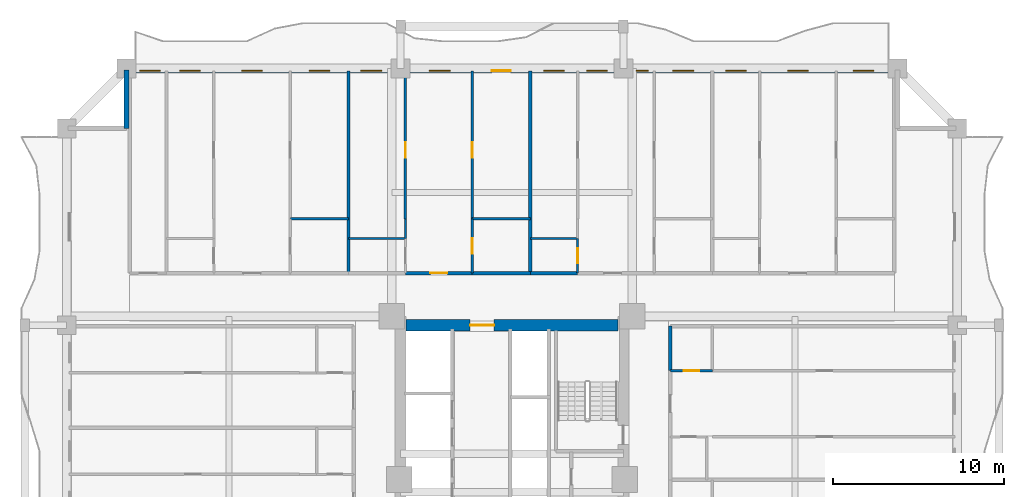
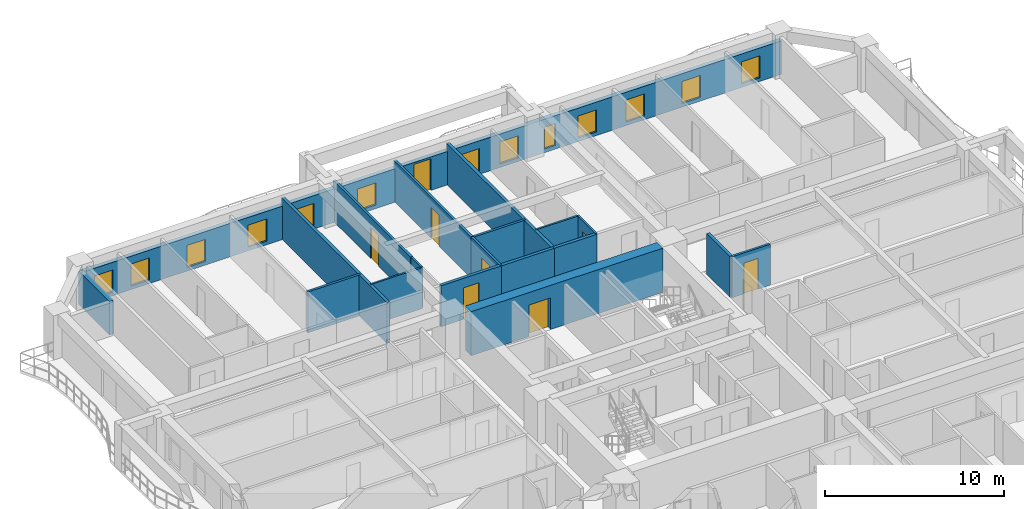
# One storey, part 7 of 16: 19 walls, 13 windows, 8 doors, 21 openings.
"""IFC4 building model written with IfcOpenShell, lengths in metres."""

from ifc_helpers import new_model, si_unit, direction, frame, frame_2d, origin, place, context, subcontext, project, spatial, rectangle, extrude, source, transform, mapped, material, layer, layer_set, type_object, element, fill, save


model = new_model("IFC4")

# Units and contexts
model_context = context("Model", 3, precision=1e-05, world=origin(), true_north=direction((0.0, 1.0)))
body_context = subcontext(model_context, "Body", "Model", "MODEL_VIEW")
ifc_project = project(units=[si_unit("LENGTHUNIT", "METRE"), si_unit("AREAUNIT", "SQUARE_METRE"), si_unit("VOLUMEUNIT", "CUBIC_METRE"), si_unit("PLANEANGLEUNIT", "RADIAN"), si_unit("MASSUNIT", "GRAM", prefix="KILO")], contexts=[model_context])

# Site, building, storey
site_placement = place(None, origin())
site = spatial("IfcSite", under=ifc_project, at=site_placement, CompositionType="ELEMENT")
building_placement = place(site_placement, origin())
building = spatial("IfcBuilding", under=site, at=building_placement, Name="Saelheon Loggia Tower", CompositionType="ELEMENT")
storey_placement = place(building_placement, frame((0.0, 0.0, 28.39990234375)))
storey = spatial("IfcBuildingStorey", under=building, at=storey_placement, Name="L08", CompositionType="ELEMENT", Elevation=28.39990234375)

# Wall, opening, door
ifc_material_1 = material(Name="Concrete C60/75", Category="concrete")
ifc_layer_1 = layer(ifc_material_1, 0.64990234375)
ifc_layer_set_1 = layer_set([ifc_layer_1], Name="Concrete C60/75")
wall_type_1 = type_object("IfcWallType", Name="Wall_CoreShear_650", PredefinedType="SHEAR", material=ifc_layer_set_1)
wall_1_placement = place(storey_placement, frame((31.824951171875, 36.0, 0.0), z_axis=(0.0, 0.0, 1.0), x_axis=(1.0, 0.0, 0.0)))
wall_1 = element("IfcWall", 1, at=wall_1_placement, inside=storey, type_object=wall_type_1, Name="L08 Core Shear Wall North", PredefinedType="SHEAR", context=body_context, shape_type="SweptSolid", body=[
    extrude(rectangle(XDim=12.35009765625, YDim=0.64990234375, at=frame_2d((6.175048828125, 0.0))), origin(), (0.0, 0.0, 1.0), 3.0),
])
opening_1_placement = place(wall_1_placement, frame((5.125, 0.0, 0.0), z_axis=(0.0, 0.0, 1.0), x_axis=(-1.0, 0.0, 0.0)))
opening_1 = element("IfcOpeningElement", 2, at=opening_1_placement, cuts=wall_1, Name="Opening D-FD2L", PredefinedType="OPENING", context=body_context, shape_type="SweptSolid", body=[
    extrude(rectangle(XDim=1.39990234375, YDim=2.14990234375, at=frame_2d((0.699951171875, 1.074951171875))), frame((0.0, 0.3369140625, 0.0), z_axis=(0.0, -1.0, 0.0), x_axis=(1.0, 0.0, 0.0)), (0.0, 0.0, 1.0), 0.673828125),
])
ifc_material_2 = material(Name="Galvanised Steel Glazed Lobby Fire Door", Category="steel")
door_type_1 = type_object("IfcDoorType", Name="Door_Fire_FD60_1400", OperationType="NOTDEFINED", PredefinedType="DOOR", material=ifc_material_2)
shared_shape_1 = source(origin(), body_context, "Body", "SweptSolid", [
    extrude(rectangle(XDim=1.39990234375, YDim=2.14990234375, at=frame_2d((0.699951171875, 1.074951171875))), frame((0.0, 0.02490234375, 0.0), z_axis=(0.0, -1.0, 0.0), x_axis=(1.0, 0.0, 0.0)), (0.0, 0.0, 1.0), 0.050048828125),
])
door_1_placement = place(opening_1_placement, origin())
door_1 = element("IfcDoor", 3, at=door_1_placement, inside=storey, type_object=door_type_1, Name="L08 Passenger Lift Lobby Main Door", OperationType="SINGLE_SWING_RIGHT", OverallHeight=2.14990234375, OverallWidth=1.39990234375, PredefinedType="DOOR", context=body_context, shape_type="MappedRepresentation", body=[
    mapped(shared_shape_1, transform((0.0, 0.0, 0.0), scale=1.0)),
])
fill(opening_1, door_1)

# Wall, openings, windows, door
ifc_material_3 = material(Name="Architectural Precast Concrete C40/50", Category="concrete")
ifc_layer_2 = layer(ifc_material_3, 0.280029296875)
ifc_layer_set_2 = layer_set([ifc_layer_2], Name="Architectural Precast Concrete C40/50")
wall_type_2 = type_object("IfcWallType", Name="Wall_Ext_Loggia_280", PredefinedType="SOLIDWALL", material=ifc_layer_set_2)
wall_2_placement = place(storey_placement, frame((15.5, 50.860107421875, 0.0), z_axis=(0.0, 0.0, 1.0), x_axis=(1.0, 0.0, 0.0)))
wall_2 = element("IfcWall", 4, at=wall_2_placement, inside=storey, type_object=wall_type_2, Name="L08 North Loggia Inner Wall", PredefinedType="SOLIDWALL", context=body_context, shape_type="SweptSolid", body=[
    extrude(rectangle(XDim=45.0, YDim=0.280029296875, at=frame_2d((22.5, 0.0))), origin(), (0.0, 0.0, 1.0), 2.280029296875),
])
opening_2_placement = place(wall_2_placement, frame((0.760009765625, 0.0, 0.25)))
opening_2 = element("IfcOpeningElement", 5, at=opening_2_placement, cuts=wall_2, Name="Opening WN-03", PredefinedType="OPENING", context=body_context, shape_type="SweptSolid", body=[
    extrude(rectangle(XDim=1.199951171875, YDim=1.5, at=frame_2d((0.60009765625, 0.75))), frame((0.0, 0.152099609375, 0.0), z_axis=(0.0, -1.0, 0.0), x_axis=(1.0, 0.0, 0.0)), (0.0, 0.0, 1.0), 0.303955078125),
])
opening_3_placement = place(wall_2_placement, frame((3.11083984375, 0.0, 0.25)))
opening_3 = element("IfcOpeningElement", 6, at=opening_3_placement, cuts=wall_2, Name="Opening WN-03", PredefinedType="OPENING", context=body_context, shape_type="SweptSolid", body=[
    extrude(rectangle(XDim=1.199951171875, YDim=1.5, at=frame_2d((0.60009765625, 0.75))), frame((0.0, 0.152099609375, 0.0), z_axis=(0.0, -1.0, 0.0), x_axis=(1.0, 0.0, 0.0)), (0.0, 0.0, 1.0), 0.303955078125),
])
opening_4_placement = place(wall_2_placement, frame((6.72265625, 0.0, 0.25)))
opening_4 = element("IfcOpeningElement", 7, at=opening_4_placement, cuts=wall_2, Name="Opening WN-03", PredefinedType="OPENING", context=body_context, shape_type="SweptSolid", body=[
    extrude(rectangle(XDim=1.199951171875, YDim=1.5, at=frame_2d((0.60009765625, 0.75))), frame((0.0, 0.152099609375, 0.0), z_axis=(0.0, -1.0, 0.0), x_axis=(1.0, 0.0, 0.0)), (0.0, 0.0, 1.0), 0.303955078125),
])
opening_5_placement = place(wall_2_placement, frame((10.65283203125, 0.0, 0.25)))
opening_5 = element("IfcOpeningElement", 8, at=opening_5_placement, cuts=wall_2, Name="Opening WN-03", PredefinedType="OPENING", context=body_context, shape_type="SweptSolid", body=[
    extrude(rectangle(XDim=1.199951171875, YDim=1.5, at=frame_2d((0.60009765625, 0.75))), frame((0.0, 0.152099609375, 0.0), z_axis=(0.0, -1.0, 0.0), x_axis=(1.0, 0.0, 0.0)), (0.0, 0.0, 1.0), 0.303955078125),
])
opening_6_placement = place(wall_2_placement, frame((13.681396484375, 0.0, 0.25)))
opening_6 = element("IfcOpeningElement", 9, at=opening_6_placement, cuts=wall_2, Name="Opening WN-03", PredefinedType="OPENING", context=body_context, shape_type="SweptSolid", body=[
    extrude(rectangle(XDim=1.199951171875, YDim=1.5, at=frame_2d((0.60009765625, 0.75))), frame((0.0, 0.152099609375, 0.0), z_axis=(0.0, -1.0, 0.0), x_axis=(1.0, 0.0, 0.0)), (0.0, 0.0, 1.0), 0.303955078125),
])
opening_7_placement = place(wall_2_placement, frame((17.682861328125, 0.0, 0.25)))
opening_7 = element("IfcOpeningElement", 10, at=opening_7_placement, cuts=wall_2, Name="Opening WN-03", PredefinedType="OPENING", context=body_context, shape_type="SweptSolid", body=[
    extrude(rectangle(XDim=1.199951171875, YDim=1.5, at=frame_2d((0.60009765625, 0.75))), frame((0.0, 0.152099609375, 0.0), z_axis=(0.0, -1.0, 0.0), x_axis=(1.0, 0.0, 0.0)), (0.0, 0.0, 1.0), 0.303955078125),
])
opening_8_placement = place(wall_2_placement, frame((21.325439453125, 0.0, 0.0)))
opening_8 = element("IfcOpeningElement", 11, at=opening_8_placement, cuts=wall_2, Name="Opening TD1", PredefinedType="OPENING", context=body_context, shape_type="SweptSolid", body=[
    extrude(rectangle(XDim=1.10009765625, YDim=2.14990234375, at=frame_2d((0.550048828125, 1.074951171875))), frame((0.0, 0.152099609375, 0.0), z_axis=(0.0, -1.0, 0.0), x_axis=(1.0, 0.0, 0.0)), (0.0, 0.0, 1.0), 0.303955078125),
])
opening_9_placement = place(wall_2_placement, frame((24.35595703125, 0.0, 0.25)))
opening_9 = element("IfcOpeningElement", 12, at=opening_9_placement, cuts=wall_2, Name="Opening WN-03", PredefinedType="OPENING", context=body_context, shape_type="SweptSolid", body=[
    extrude(rectangle(XDim=1.199951171875, YDim=1.5, at=frame_2d((0.60009765625, 0.75))), frame((0.0, 0.152099609375, 0.0), z_axis=(0.0, -1.0, 0.0), x_axis=(1.0, 0.0, 0.0)), (0.0, 0.0, 1.0), 0.303955078125),
])
opening_10_placement = place(wall_2_placement, frame((26.873291015625, 0.0, 0.25)))
opening_10 = element("IfcOpeningElement", 13, at=opening_10_placement, cuts=wall_2, Name="Opening WN-03", PredefinedType="OPENING", context=body_context, shape_type="SweptSolid", body=[
    extrude(rectangle(XDim=1.199951171875, YDim=1.5, at=frame_2d((0.60009765625, 0.75))), frame((0.0, 0.152099609375, 0.0), z_axis=(0.0, -1.0, 0.0), x_axis=(1.0, 0.0, 0.0)), (0.0, 0.0, 1.0), 0.303955078125),
])
opening_11_placement = place(wall_2_placement, frame((29.744140625, 0.0, 0.25)))
opening_11 = element("IfcOpeningElement", 14, at=opening_11_placement, cuts=wall_2, Name="Opening WN-06", PredefinedType="OPENING", context=body_context, shape_type="SweptSolid", body=[
    extrude(rectangle(XDim=0.699951171875, YDim=1.5, at=frame_2d((0.35009765625, 0.75))), frame((0.0, 0.152099609375, 0.0), z_axis=(0.0, -1.0, 0.0), x_axis=(1.0, 0.0, 0.0)), (0.0, 0.0, 1.0), 0.303955078125),
])
opening_12_placement = place(wall_2_placement, frame((31.89794921875, 0.0, 0.25)))
opening_12 = element("IfcOpeningElement", 15, at=opening_12_placement, cuts=wall_2, Name="Opening WN-03", PredefinedType="OPENING", context=body_context, shape_type="SweptSolid", body=[
    extrude(rectangle(XDim=1.199951171875, YDim=1.5, at=frame_2d((0.60009765625, 0.75))), frame((0.0, 0.152099609375, 0.0), z_axis=(0.0, -1.0, 0.0), x_axis=(1.0, 0.0, 0.0)), (0.0, 0.0, 1.0), 0.303955078125),
])
opening_13_placement = place(wall_2_placement, frame((34.978515625, 0.0, 0.25)))
opening_13 = element("IfcOpeningElement", 16, at=opening_13_placement, cuts=wall_2, Name="Opening WN-03", PredefinedType="OPENING", context=body_context, shape_type="SweptSolid", body=[
    extrude(rectangle(XDim=1.199951171875, YDim=1.5, at=frame_2d((0.60009765625, 0.75))), frame((0.0, 0.152099609375, 0.0), z_axis=(0.0, -1.0, 0.0), x_axis=(1.0, 0.0, 0.0)), (0.0, 0.0, 1.0), 0.303955078125),
])
opening_14_placement = place(wall_2_placement, frame((38.590087890625, 0.0, 0.25)))
opening_14 = element("IfcOpeningElement", 17, at=opening_14_placement, cuts=wall_2, Name="Opening WN-03", PredefinedType="OPENING", context=body_context, shape_type="SweptSolid", body=[
    extrude(rectangle(XDim=1.199951171875, YDim=1.5, at=frame_2d((0.60009765625, 0.75))), frame((0.0, 0.152099609375, 0.0), z_axis=(0.0, -1.0, 0.0), x_axis=(1.0, 0.0, 0.0)), (0.0, 0.0, 1.0), 0.303955078125),
])
opening_15_placement = place(wall_2_placement, frame((42.415283203125, 0.0, 0.25)))
opening_15 = element("IfcOpeningElement", 18, at=opening_15_placement, cuts=wall_2, Name="Opening WN-03", PredefinedType="OPENING", context=body_context, shape_type="SweptSolid", body=[
    extrude(rectangle(XDim=1.199951171875, YDim=1.5, at=frame_2d((0.60009765625, 0.75))), frame((0.0, 0.152099609375, 0.0), z_axis=(0.0, -1.0, 0.0), x_axis=(1.0, 0.0, 0.0)), (0.0, 0.0, 1.0), 0.303955078125),
])
ifc_material_4 = material(Name="Thermal-Break Aluminium and Triple Low-E Glass", Category="aluminium")
window_type_1 = type_object("IfcWindowType", Name="Win_Slot_700x1500", PartitioningType="SINGLE_PANEL", PredefinedType="WINDOW", material=ifc_material_4)
shared_shape_2 = source(origin(), body_context, "Body", "SweptSolid", [
    extrude(rectangle(XDim=0.699951171875, YDim=1.5, at=frame_2d((0.35009765625, 0.75))), frame((0.0, 0.030029296875, 0.0), z_axis=(0.0, -1.0, 0.0), x_axis=(1.0, 0.0, 0.0)), (0.0, 0.0, 1.0), 0.06005859375),
])
window_1_placement = place(opening_11_placement, origin())
window_1 = element("IfcWindow", 19, at=window_1_placement, inside=storey, type_object=window_type_1, Name="L08 N Dwelling Window 10", OverallHeight=1.5, OverallWidth=0.699951171875, PartitioningType="SINGLE_PANEL", PredefinedType="WINDOW", context=body_context, shape_type="MappedRepresentation", body=[
    mapped(shared_shape_2, transform((0.0, 0.0, 0.0), scale=1.0)),
])
fill(opening_11, window_1)
window_type_2 = type_object("IfcWindowType", Name="Win_Bedroom_1200x1500", PartitioningType="SINGLE_PANEL", PredefinedType="WINDOW", material=ifc_material_4)
shared_shape_3 = source(origin(), body_context, "Body", "SweptSolid", [
    extrude(rectangle(XDim=1.199951171875, YDim=1.5, at=frame_2d((0.60009765625, 0.75))), frame((0.0, 0.030029296875, 0.0), z_axis=(0.0, -1.0, 0.0), x_axis=(1.0, 0.0, 0.0)), (0.0, 0.0, 1.0), 0.06005859375),
])
window_2_placement = place(opening_2_placement, origin())
window_2 = element("IfcWindow", 20, at=window_2_placement, inside=storey, type_object=window_type_2, Name="L08 N Dwelling Window 1", OverallHeight=1.5, OverallWidth=1.199951171875, PartitioningType="SINGLE_PANEL", PredefinedType="WINDOW", context=body_context, shape_type="MappedRepresentation", body=[
    mapped(shared_shape_3, transform((0.0, 0.0, 0.0), scale=1.0)),
])
fill(opening_2, window_2)
window_3_placement = place(opening_3_placement, origin())
window_3 = element("IfcWindow", 21, at=window_3_placement, inside=storey, type_object=window_type_2, Name="L08 N Dwelling Window 2", OverallHeight=1.5, OverallWidth=1.199951171875, PartitioningType="SINGLE_PANEL", PredefinedType="WINDOW", context=body_context, shape_type="MappedRepresentation", body=[
    mapped(shared_shape_3, transform((0.0, 0.0, 0.0), scale=1.0)),
])
fill(opening_3, window_3)
window_4_placement = place(opening_4_placement, origin())
window_4 = element("IfcWindow", 22, at=window_4_placement, inside=storey, type_object=window_type_2, Name="L08 N Dwelling Window 3", OverallHeight=1.5, OverallWidth=1.199951171875, PartitioningType="SINGLE_PANEL", PredefinedType="WINDOW", context=body_context, shape_type="MappedRepresentation", body=[
    mapped(shared_shape_3, transform((0.0, 0.0, 0.0), scale=1.0)),
])
fill(opening_4, window_4)
window_5_placement = place(opening_5_placement, origin())
window_5 = element("IfcWindow", 23, at=window_5_placement, inside=storey, type_object=window_type_2, Name="L08 N Dwelling Window 4", OverallHeight=1.5, OverallWidth=1.199951171875, PartitioningType="SINGLE_PANEL", PredefinedType="WINDOW", context=body_context, shape_type="MappedRepresentation", body=[
    mapped(shared_shape_3, transform((0.0, 0.0, 0.0), scale=1.0)),
])
fill(opening_5, window_5)
window_6_placement = place(opening_6_placement, origin())
window_6 = element("IfcWindow", 24, at=window_6_placement, inside=storey, type_object=window_type_2, Name="L08 N Dwelling Window 5", OverallHeight=1.5, OverallWidth=1.199951171875, PartitioningType="SINGLE_PANEL", PredefinedType="WINDOW", context=body_context, shape_type="MappedRepresentation", body=[
    mapped(shared_shape_3, transform((0.0, 0.0, 0.0), scale=1.0)),
])
fill(opening_6, window_6)
window_7_placement = place(opening_7_placement, origin())
window_7 = element("IfcWindow", 25, at=window_7_placement, inside=storey, type_object=window_type_2, Name="L08 N Dwelling Window 6", OverallHeight=1.5, OverallWidth=1.199951171875, PartitioningType="SINGLE_PANEL", PredefinedType="WINDOW", context=body_context, shape_type="MappedRepresentation", body=[
    mapped(shared_shape_3, transform((0.0, 0.0, 0.0), scale=1.0)),
])
fill(opening_7, window_7)
window_8_placement = place(opening_9_placement, origin())
window_8 = element("IfcWindow", 26, at=window_8_placement, inside=storey, type_object=window_type_2, Name="L08 N Dwelling Window 8", OverallHeight=1.5, OverallWidth=1.199951171875, PartitioningType="SINGLE_PANEL", PredefinedType="WINDOW", context=body_context, shape_type="MappedRepresentation", body=[
    mapped(shared_shape_3, transform((0.0, 0.0, 0.0), scale=1.0)),
])
fill(opening_9, window_8)
window_9_placement = place(opening_10_placement, origin())
window_9 = element("IfcWindow", 27, at=window_9_placement, inside=storey, type_object=window_type_2, Name="L08 N Dwelling Window 9", OverallHeight=1.5, OverallWidth=1.199951171875, PartitioningType="SINGLE_PANEL", PredefinedType="WINDOW", context=body_context, shape_type="MappedRepresentation", body=[
    mapped(shared_shape_3, transform((0.0, 0.0, 0.0), scale=1.0)),
])
fill(opening_10, window_9)
window_10_placement = place(opening_12_placement, origin())
window_10 = element("IfcWindow", 28, at=window_10_placement, inside=storey, type_object=window_type_2, Name="L08 N Dwelling Window 11", OverallHeight=1.5, OverallWidth=1.199951171875, PartitioningType="SINGLE_PANEL", PredefinedType="WINDOW", context=body_context, shape_type="MappedRepresentation", body=[
    mapped(shared_shape_3, transform((0.0, 0.0, 0.0), scale=1.0)),
])
fill(opening_12, window_10)
window_11_placement = place(opening_13_placement, origin())
window_11 = element("IfcWindow", 29, at=window_11_placement, inside=storey, type_object=window_type_2, Name="L08 N Dwelling Window 12", OverallHeight=1.5, OverallWidth=1.199951171875, PartitioningType="SINGLE_PANEL", PredefinedType="WINDOW", context=body_context, shape_type="MappedRepresentation", body=[
    mapped(shared_shape_3, transform((0.0, 0.0, 0.0), scale=1.0)),
])
fill(opening_13, window_11)
window_12_placement = place(opening_14_placement, origin())
window_12 = element("IfcWindow", 30, at=window_12_placement, inside=storey, type_object=window_type_2, Name="L08 N Dwelling Window 13", OverallHeight=1.5, OverallWidth=1.199951171875, PartitioningType="SINGLE_PANEL", PredefinedType="WINDOW", context=body_context, shape_type="MappedRepresentation", body=[
    mapped(shared_shape_3, transform((0.0, 0.0, 0.0), scale=1.0)),
])
fill(opening_14, window_12)
window_13_placement = place(opening_15_placement, origin())
window_13 = element("IfcWindow", 31, at=window_13_placement, inside=storey, type_object=window_type_2, Name="L08 N Dwelling Window 14", OverallHeight=1.5, OverallWidth=1.199951171875, PartitioningType="SINGLE_PANEL", PredefinedType="WINDOW", context=body_context, shape_type="MappedRepresentation", body=[
    mapped(shared_shape_3, transform((0.0, 0.0, 0.0), scale=1.0)),
])
fill(opening_15, window_13)
ifc_material_5 = material(Name="Thermal-Break Aluminium Glazed Door", Category="aluminium")
door_type_2 = type_object("IfcDoorType", Name="Door_Terrace_TD1", OperationType="NOTDEFINED", PredefinedType="DOOR", material=ifc_material_5)
shared_shape_4 = source(origin(), body_context, "Body", "SweptSolid", [
    extrude(rectangle(XDim=1.10009765625, YDim=2.14990234375, at=frame_2d((0.550048828125, 1.074951171875))), frame((0.0, 0.02490234375, 0.0), z_axis=(0.0, -1.0, 0.0), x_axis=(1.0, 0.0, 0.0)), (0.0, 0.0, 1.0), 0.050048828125),
])
door_2_placement = place(opening_8_placement, origin())
door_2 = element("IfcDoor", 32, at=door_2_placement, inside=storey, type_object=door_type_2, Name="L08 N Loggia Access Door", OperationType="SINGLE_SWING_LEFT", OverallHeight=2.14990234375, OverallWidth=1.10009765625, PredefinedType="DOOR", context=body_context, shape_type="MappedRepresentation", body=[
    mapped(shared_shape_4, transform((0.0, 0.0, 0.0), scale=1.0)),
])
fill(opening_8, door_2)

# Walls
wall_3_placement = place(storey_placement, frame((15.5, 47.5, 0.0), z_axis=(0.0, 0.0, 1.0), x_axis=(0.0, 1.0, 0.0)))
element("IfcWall", 33, at=wall_3_placement, inside=storey, type_object=wall_type_2, Name="L08 Corner Notch Precast Wall NW1", PredefinedType="SOLIDWALL", context=body_context, shape_type="SweptSolid", body=[
    extrude(rectangle(XDim=3.419921875, YDim=0.280029296875, at=frame_2d((1.7099609375, 0.0))), origin(), (0.0, 0.0, 1.0), 2.280029296875),
])
ifc_material_6 = material(Name="Lightweight Autoclaved Aerated Concrete Block and Acoustic Gypsum", Category="concrete")
ifc_layer_3 = layer(ifc_material_6, 0.14990234375)
ifc_layer_set_3 = layer_set([ifc_layer_3], Name="Lightweight Autoclaved Aerated Concrete Block and Acoustic Gypsum")
wall_type_3 = type_object("IfcWallType", Name="Wall_Part_150", PredefinedType="PARTITIONING", material=ifc_layer_set_3)
for number, where, z_axis, x_axis, name in (
    (34, (25.05322265625, 42.219970703125, 0.0), (0.0, 0.0, 1.0), (1.0, 0.0, 0.0), "L08 N Partition V09"),
    (35, (35.67578125, 42.219970703125, 0.0), (0.0, 0.0, 1.0), (1.0, 0.0, 0.0), "L08 N Partition V20"),
):
    element("IfcWall", number, at=place(storey_placement, frame(where, z_axis=z_axis, x_axis=x_axis)), inside=storey, type_object=wall_type_3, Name=name, PredefinedType="PARTITIONING", context=body_context, shape_type="SweptSolid", body=[
        extrude(rectangle(XDim=3.399169921875, YDim=0.14990234375, at=frame_2d((1.69970703125, 0.0))), origin(), (0.0, 0.0, 1.0), 2.7900390625),
    ])

# Wall, opening, door
wall_4_placement = place(storey_placement, frame((31.780029296875, 42.219970703125, 0.0), z_axis=(0.0, 0.0, 1.0), x_axis=(0.0, 1.0, 0.0)))
wall_4 = element("IfcWall", 36, at=wall_4_placement, inside=storey, type_object=wall_type_3, Name="L08 N Partition U23", PredefinedType="PARTITIONING", context=body_context, shape_type="SweptSolid", body=[
    extrude(rectangle(XDim=8.630126953125, YDim=0.14990234375, at=frame_2d((4.31494140625, 0.0))), origin(), (0.0, 0.0, 1.0), 2.7900390625),
])
opening_16_placement = place(wall_4_placement, frame((3.56298828125, 0.0, 0.0)))
opening_16 = element("IfcOpeningElement", 37, at=opening_16_placement, cuts=wall_4, Name="Opening D-IN2", PredefinedType="OPENING", context=body_context, shape_type="SweptSolid", body=[
    extrude(rectangle(XDim=0.89990234375, YDim=2.10009765625, at=frame_2d((0.449951171875, 1.050048828125))), frame((0.0, 0.0869140625, 0.0), z_axis=(0.0, -1.0, 0.0), x_axis=(1.0, 0.0, 0.0)), (0.0, 0.0, 1.0), 0.173828125),
])
ifc_material_7 = material(Name="Engineered Oak Flush Door", Category="timber")
door_type_3 = type_object("IfcDoorType", Name="Door_Int_900", OperationType="NOTDEFINED", PredefinedType="DOOR", material=ifc_material_7)
shared_shape_5 = source(origin(), body_context, "Body", "SweptSolid", [
    extrude(rectangle(XDim=0.89990234375, YDim=2.10009765625, at=frame_2d((0.449951171875, 1.050048828125))), frame((0.0, 0.02490234375, 0.0), z_axis=(0.0, -1.0, 0.0), x_axis=(1.0, 0.0, 0.0)), (0.0, 0.0, 1.0), 0.050048828125),
])
door_3_placement = place(opening_16_placement, origin())
door_3 = element("IfcDoor", 38, at=door_3_placement, inside=storey, type_object=door_type_3, Name="Unit U06 Bedroom 2 Door", OperationType="SINGLE_SWING_RIGHT", OverallHeight=2.10009765625, OverallWidth=0.89990234375, PredefinedType="DOOR", context=body_context, shape_type="MappedRepresentation", body=[
    mapped(shared_shape_5, transform((0.0, 0.0, 0.0), scale=1.0)),
])
fill(opening_16, door_3)

wall_5_placement = place(storey_placement, frame((35.67578125, 39.050048828125, 0.0), z_axis=(0.0, 0.0, 1.0), x_axis=(0.0, 1.0, 0.0)))
wall_5 = element("IfcWall", 39, at=wall_5_placement, inside=storey, type_object=wall_type_3, Name="L08 N Partition U24", PredefinedType="PARTITIONING", context=body_context, shape_type="SweptSolid", body=[
    extrude(rectangle(XDim=3.169921875, YDim=0.14990234375, at=frame_2d((1.5849609375, 0.0))), origin(), (0.0, 0.0, 1.0), 2.7900390625),
])
opening_17_placement = place(wall_5_placement, frame((1.135009765625, 0.0, 0.0)))
opening_17 = element("IfcOpeningElement", 40, at=opening_17_placement, cuts=wall_5, Name="Opening D-IN2", PredefinedType="OPENING", context=body_context, shape_type="SweptSolid", body=[
    extrude(rectangle(XDim=0.89990234375, YDim=2.10009765625, at=frame_2d((0.449951171875, 1.050048828125))), frame((0.0, 0.0869140625, 0.0), z_axis=(0.0, -1.0, 0.0), x_axis=(1.0, 0.0, 0.0)), (0.0, 0.0, 1.0), 0.173828125),
])
door_4_placement = place(opening_17_placement, origin())
door_4 = element("IfcDoor", 41, at=door_4_placement, inside=storey, type_object=door_type_3, Name="Unit U06 Kitchen Door", OperationType="SINGLE_SWING_LEFT", OverallHeight=2.10009765625, OverallWidth=0.89990234375, PredefinedType="DOOR", context=body_context, shape_type="MappedRepresentation", body=[
    mapped(shared_shape_5, transform((0.0, 0.0, 0.0), scale=1.0)),
])
fill(opening_17, door_4)

wall_6_placement = place(storey_placement, frame((35.67578125, 42.219970703125, 0.0), z_axis=(0.0, 0.0, 1.0), x_axis=(0.0, 1.0, 0.0)))
wall_6 = element("IfcWall", 42, at=wall_6_placement, inside=storey, type_object=wall_type_3, Name="L08 N Partition U25", PredefinedType="PARTITIONING", context=body_context, shape_type="SweptSolid", body=[
    extrude(rectangle(XDim=8.630126953125, YDim=0.14990234375, at=frame_2d((4.31494140625, 0.0))), origin(), (0.0, 0.0, 1.0), 2.7900390625),
])
opening_18_placement = place(wall_6_placement, frame((3.56298828125, 0.0, 0.0)))
opening_18 = element("IfcOpeningElement", 43, at=opening_18_placement, cuts=wall_6, Name="Opening D-IN2", PredefinedType="OPENING", context=body_context, shape_type="SweptSolid", body=[
    extrude(rectangle(XDim=0.89990234375, YDim=2.10009765625, at=frame_2d((0.449951171875, 1.050048828125))), frame((0.0, 0.0869140625, 0.0), z_axis=(0.0, -1.0, 0.0), x_axis=(1.0, 0.0, 0.0)), (0.0, 0.0, 1.0), 0.173828125),
])
door_5_placement = place(opening_18_placement, origin())
door_5 = element("IfcDoor", 44, at=door_5_placement, inside=storey, type_object=door_type_3, Name="Unit U06 Bedroom 1 Door", OperationType="SINGLE_SWING_RIGHT", OverallHeight=2.10009765625, OverallWidth=0.89990234375, PredefinedType="DOOR", context=body_context, shape_type="MappedRepresentation", body=[
    mapped(shared_shape_5, transform((0.0, 0.0, 0.0), scale=1.0)),
])
fill(opening_18, door_5)

wall_7_placement = place(storey_placement, frame((47.25, 33.35009765625, 0.0), z_axis=(0.0, 0.0, 1.0), x_axis=(1.0, 0.0, 0.0)))
wall_7 = element("IfcWall", 45, at=wall_7_placement, inside=storey, type_object=wall_type_3, Name="L08 E Partition U20", PredefinedType="PARTITIONING", context=body_context, shape_type="SweptSolid", body=[
    extrude(rectangle(XDim=2.449951171875, YDim=0.14990234375, at=frame_2d((1.22509765625, 0.0))), origin(), (0.0, 0.0, 1.0), 2.7900390625),
])
opening_19_placement = place(wall_7_placement, frame((0.77490234375, 0.0, 0.0)))
opening_19 = element("IfcOpeningElement", 46, at=opening_19_placement, cuts=wall_7, Name="Opening D-IN2", PredefinedType="OPENING", context=body_context, shape_type="SweptSolid", body=[
    extrude(rectangle(XDim=0.89990234375, YDim=2.10009765625, at=frame_2d((0.449951171875, 1.050048828125))), frame((0.0, 0.0869140625, 0.0), z_axis=(0.0, -1.0, 0.0), x_axis=(1.0, 0.0, 0.0)), (0.0, 0.0, 1.0), 0.173828125),
])
door_6_placement = place(opening_19_placement, origin())
door_6 = element("IfcDoor", 47, at=door_6_placement, inside=storey, type_object=door_type_3, Name="Unit U13 Dressing Closet Door", OperationType="SINGLE_SWING_RIGHT", OverallHeight=2.10009765625, OverallWidth=0.89990234375, PredefinedType="DOOR", context=body_context, shape_type="MappedRepresentation", body=[
    mapped(shared_shape_5, transform((0.0, 0.0, 0.0), scale=1.0)),
])
fill(opening_19, door_6)

# Wall
ifc_material_8 = material(Name="Double Acoustic Stud and Fireboard Partition", Category="gypsum")
ifc_layer_4 = layer(ifc_material_8, 0.199951171875)
ifc_layer_set_4 = layer_set([ifc_layer_4], Name="Double Acoustic Stud and Fireboard Partition")
wall_type_4 = type_object("IfcWallType", Name="Wall_Party_200", PredefinedType="PARTITIONING", material=ifc_layer_set_4)
wall_8_placement = place(storey_placement, frame((28.452392578125, 39.050048828125, 0.0), z_axis=(0.0, 0.0, 1.0), x_axis=(0.0, 1.0, 0.0)))
element("IfcWall", 48, at=wall_8_placement, inside=storey, type_object=wall_type_4, Name="L08 N Partition U15", PredefinedType="PARTITIONING", context=body_context, shape_type="SweptSolid", body=[
    extrude(rectangle(XDim=11.800048828125, YDim=0.199951171875, at=frame_2d((5.89990234375, 0.0))), origin(), (0.0, 0.0, 1.0), 2.7900390625),
])

# Wall, opening, door
wall_9_placement = place(storey_placement, frame((31.780029296875, 39.050048828125, 0.0), z_axis=(0.0, 0.0, 1.0), x_axis=(1.0, 0.0, 0.0)))
wall_9 = element("IfcWall", 49, at=wall_9_placement, inside=storey, type_object=wall_type_4, Name="L08 N Partition V17", PredefinedType="PARTITIONING", context=body_context, shape_type="SweptSolid", body=[
    extrude(rectangle(XDim=3.895751953125, YDim=0.199951171875, at=frame_2d((1.94775390625, 0.0))), origin(), (0.0, 0.0, 1.0), 2.7900390625),
])
opening_20_placement = place(wall_9_placement, frame((1.447998046875, 0.0, 0.0)))
opening_20 = element("IfcOpeningElement", 50, at=opening_20_placement, cuts=wall_9, Name="Opening D-FD1", PredefinedType="OPENING", context=body_context, shape_type="SweptSolid", body=[
    extrude(rectangle(XDim=1.0, YDim=2.14990234375, at=frame_2d((0.5, 1.074951171875))), frame((0.0, 0.112060546875, 0.0), z_axis=(0.0, -1.0, 0.0), x_axis=(1.0, 0.0, 0.0)), (0.0, 0.0, 1.0), 0.223876953125),
])
ifc_material_9 = material(Name="Fire-Rated Engineered Timber Entrance Door", Category="wood")
door_type_4 = type_object("IfcDoorType", Name="Door_Flat_FD30S", OperationType="NOTDEFINED", PredefinedType="DOOR", material=ifc_material_9)
shared_shape_6 = source(origin(), body_context, "Body", "SweptSolid", [
    extrude(rectangle(XDim=1.0, YDim=2.14990234375, at=frame_2d((0.5, 1.074951171875))), frame((0.0, 0.02490234375, 0.0), z_axis=(0.0, -1.0, 0.0), x_axis=(1.0, 0.0, 0.0)), (0.0, 0.0, 1.0), 0.050048828125),
])
door_7_placement = place(opening_20_placement, origin())
door_7 = element("IfcDoor", 51, at=door_7_placement, inside=storey, type_object=door_type_4, Name="Unit U06 Entrance Door", OperationType="SINGLE_SWING_RIGHT", OverallHeight=2.14990234375, OverallWidth=1.0, PredefinedType="DOOR", context=body_context, shape_type="MappedRepresentation", body=[
    mapped(shared_shape_6, transform((0.0, 0.0, 0.0), scale=1.0)),
])
fill(opening_20, door_7)

# Walls
wall_10_placement = place(storey_placement, frame((35.67578125, 39.050048828125, 0.0), z_axis=(0.0, 0.0, 1.0), x_axis=(1.0, 0.0, 0.0)))
element("IfcWall", 52, at=wall_10_placement, inside=storey, type_object=wall_type_4, Name="L08 N Partition V18", PredefinedType="PARTITIONING", context=body_context, shape_type="SweptSolid", body=[
    extrude(rectangle(XDim=3.399169921875, YDim=0.199951171875, at=frame_2d((1.69970703125, 0.0))), origin(), (0.0, 0.0, 1.0), 2.7900390625),
])
wall_11_placement = place(storey_placement, frame((39.074951171875, 39.050048828125, 0.0), z_axis=(0.0, 0.0, 1.0), x_axis=(0.0, 1.0, 0.0)))
element("IfcWall", 53, at=wall_11_placement, inside=storey, type_object=wall_type_4, Name="L08 N Partition U26", PredefinedType="PARTITIONING", context=body_context, shape_type="SweptSolid", body=[
    extrude(rectangle(XDim=11.800048828125, YDim=0.199951171875, at=frame_2d((5.89990234375, 0.0))), origin(), (0.0, 0.0, 1.0), 2.7900390625),
])
wall_12_placement = place(storey_placement, frame((39.074951171875, 39.050048828125, 0.0), z_axis=(0.0, 0.0, 1.0), x_axis=(1.0, 0.0, 0.0)))
element("IfcWall", 54, at=wall_12_placement, inside=storey, type_object=wall_type_4, Name="L08 N Partition V27", PredefinedType="PARTITIONING", context=body_context, shape_type="SweptSolid", body=[
    extrude(rectangle(XDim=2.761962890625, YDim=0.199951171875, at=frame_2d((1.380859375, 0.0))), origin(), (0.0, 0.0, 1.0), 2.7900390625),
])
wall_13_placement = place(storey_placement, frame((47.25, 33.35009765625, 0.0), z_axis=(0.0, 0.0, 1.0), x_axis=(0.0, 1.0, 0.0)))
element("IfcWall", 55, at=wall_13_placement, inside=storey, type_object=wall_type_4, Name="L08 E Partition V15", PredefinedType="PARTITIONING", context=body_context, shape_type="SweptSolid", body=[
    extrude(rectangle(XDim=2.599853515625, YDim=0.199951171875, at=frame_2d((1.2998046875, 0.0))), origin(), (0.0, 0.0, 1.0), 2.7900390625),
])
ifc_material_10 = material(Name="Moisture-Resistant Cement Board Partition", Category="gypsum")
ifc_layer_5 = layer(ifc_material_10, 0.1201171875)
ifc_layer_set_5 = layer_set([ifc_layer_5], Name="Moisture-Resistant Cement Board Partition")
wall_type_5 = type_object("IfcWallType", Name="Wall_WetPart_120", PredefinedType="PARTITIONING", material=ifc_layer_set_5)
wall_14_placement = place(storey_placement, frame((28.452392578125, 41.070068359375, 0.0), z_axis=(0.0, 0.0, 1.0), x_axis=(1.0, 0.0, 0.0)))
element("IfcWall", 56, at=wall_14_placement, inside=storey, type_object=wall_type_5, Name="L08 N Partition V19", PredefinedType="PARTITIONING", context=body_context, shape_type="SweptSolid", body=[
    extrude(rectangle(XDim=3.32763671875, YDim=0.1201171875, at=frame_2d((1.663818359375, 0.0))), origin(), (0.0, 0.0, 1.0), 2.7900390625),
])
wall_15_placement = place(storey_placement, frame((31.780029296875, 41.070068359375, 0.0), z_axis=(0.0, 0.0, 1.0), x_axis=(0.0, 1.0, 0.0)))
element("IfcWall", 57, at=wall_15_placement, inside=storey, type_object=wall_type_5, Name="L08 N Partition U22", PredefinedType="PARTITIONING", context=body_context, shape_type="SweptSolid", body=[
    extrude(rectangle(XDim=1.14990234375, YDim=0.1201171875, at=frame_2d((0.574951171875, 0.0))), origin(), (0.0, 0.0, 1.0), 2.7900390625),
])
wall_16_placement = place(storey_placement, frame((39.074951171875, 41.070068359375, 0.0), z_axis=(0.0, 0.0, 1.0), x_axis=(1.0, 0.0, 0.0)))
element("IfcWall", 58, at=wall_16_placement, inside=storey, type_object=wall_type_5, Name="L08 N Partition V30", PredefinedType="PARTITIONING", context=body_context, shape_type="SweptSolid", body=[
    extrude(rectangle(XDim=2.761962890625, YDim=0.1201171875, at=frame_2d((1.380859375, 0.0))), origin(), (0.0, 0.0, 1.0), 2.7900390625),
])

# Wall, opening, door
wall_17_placement = place(storey_placement, frame((41.8369140625, 39.050048828125, 0.0), z_axis=(0.0, 0.0, 1.0), x_axis=(0.0, 1.0, 0.0)))
wall_17 = element("IfcWall", 59, at=wall_17_placement, inside=storey, type_object=wall_type_5, Name="L08 N Partition U32", PredefinedType="PARTITIONING", context=body_context, shape_type="SweptSolid", body=[
    extrude(rectangle(XDim=2.02001953125, YDim=0.1201171875, at=frame_2d((1.010009765625, 0.0))), origin(), (0.0, 0.0, 1.0), 2.7900390625),
])
opening_21_placement = place(wall_17_placement, frame((0.5849609375, 0.0, 0.0)))
opening_21 = element("IfcOpeningElement", 60, at=opening_21_placement, cuts=wall_17, Name="Opening D-BT1", PredefinedType="OPENING", context=body_context, shape_type="SweptSolid", body=[
    extrude(rectangle(XDim=0.85009765625, YDim=2.050048828125, at=frame_2d((0.425048828125, 1.02490234375))), frame((0.0, 0.072021484375, 0.0), z_axis=(0.0, -1.0, 0.0), x_axis=(1.0, 0.0, 0.0)), (0.0, 0.0, 1.0), 0.14404296875),
])
ifc_material_11 = material(Name="Moisture-Resistant Laminate Timber Door", Category="wood")
door_type_5 = type_object("IfcDoorType", Name="Door_Bath_850", OperationType="NOTDEFINED", PredefinedType="DOOR", material=ifc_material_11)
shared_shape_7 = source(origin(), body_context, "Body", "SweptSolid", [
    extrude(rectangle(XDim=0.85009765625, YDim=2.050048828125, at=frame_2d((0.425048828125, 1.02490234375))), frame((0.0, 0.02490234375, 0.0), z_axis=(0.0, -1.0, 0.0), x_axis=(1.0, 0.0, 0.0)), (0.0, 0.0, 1.0), 0.050048828125),
])
door_8_placement = place(opening_21_placement, origin())
door_8 = element("IfcDoor", 61, at=door_8_placement, inside=storey, type_object=door_type_5, Name="Unit U07 Bathroom Door", OperationType="SINGLE_SWING_RIGHT", OverallHeight=2.050048828125, OverallWidth=0.85009765625, PredefinedType="DOOR", context=body_context, shape_type="MappedRepresentation", body=[
    mapped(shared_shape_7, transform((0.0, 0.0, 0.0), scale=1.0)),
])
fill(opening_21, door_8)

save(model, "model.ifc")
